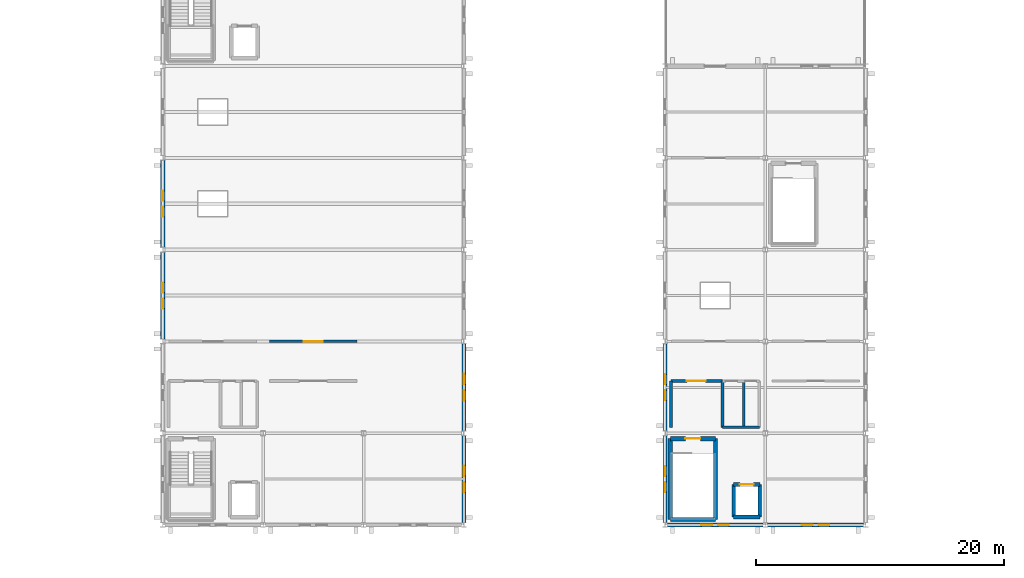
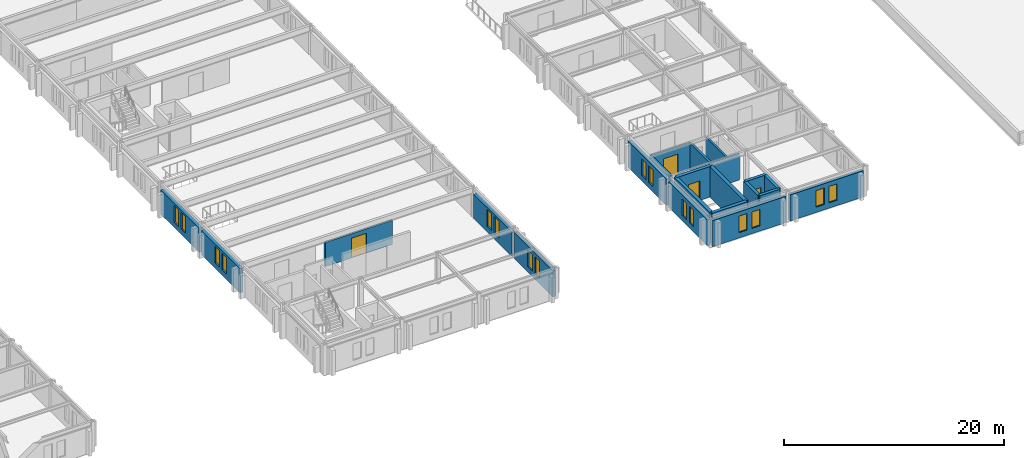
# One storey, part 11 of 19: 22 walls, 16 windows, 4 doors, 20 openings.
"""IFC4 building model written with IfcOpenShell, lengths in metres."""

from ifc_helpers import new_model, si_unit, direction, frame, frame_2d, origin, place, context, subcontext, project, spatial, rectangle, extrude, material, layer, layer_set, type_object, element, fill, save


model = new_model("IFC4")

# Units and contexts
model_context = context("Model", 3, precision=1e-05, world=origin(), true_north=direction((0.0, 1.0)))
body_context = subcontext(model_context, "Body", "Model", "MODEL_VIEW")
ifc_project = project(units=[si_unit("LENGTHUNIT", "METRE"), si_unit("AREAUNIT", "SQUARE_METRE"), si_unit("VOLUMEUNIT", "CUBIC_METRE"), si_unit("PLANEANGLEUNIT", "RADIAN"), si_unit("MASSUNIT", "GRAM", prefix="KILO")], contexts=[model_context])

# Site, building, storey
site_placement = place(None, origin())
site = spatial("IfcSite", under=ifc_project, at=site_placement, CompositionType="ELEMENT")
building_placement = place(site_placement, origin())
building = spatial("IfcBuilding", under=site, at=building_placement, Name="Cimatlan Art Gallery", CompositionType="ELEMENT")
storey_placement = place(building_placement, frame((0.0, 0.0, 17.39990234375)))
storey = spatial("IfcBuildingStorey", under=building, at=storey_placement, Name="L04", CompositionType="ELEMENT", Elevation=17.39990234375)

# Walls
ifc_material_1 = material(Name="Concrete C40/50", Category="concrete")
ifc_layer_1 = layer(ifc_material_1, 0.31005859375)
ifc_layer_set_1 = layer_set([ifc_layer_1], Name="Concrete C40/50")
wall_type_1 = type_object("IfcWallType", Name="W-CORE-310", PredefinedType="SHEAR", material=ifc_layer_set_1)
wall_1_placement = place(storey_placement, frame((120.949951171875, 24.550048828125, 0.0), z_axis=(0.0, 0.0, 1.0), x_axis=(0.0, 1.0, 0.0)))
element("IfcWall", 1, at=wall_1_placement, inside=storey, type_object=wall_type_1, Name="WL-SHFT-C4-L04-LW", PredefinedType="SHEAR", context=body_context, shape_type="SweptSolid", body=[
    extrude(rectangle(XDim=2.599853515625, YDim=0.31005859375, at=frame_2d((1.2998046875, 0.0))), origin(), (0.0, 0.0, 1.0), 3.375),
])
wall_2_placement = place(storey_placement, frame((120.949951171875, 24.550048828125, 0.0), z_axis=(0.0, 0.0, 1.0), x_axis=(1.0, 0.0, 0.0)))
element("IfcWall", 2, at=wall_2_placement, inside=storey, type_object=wall_type_1, Name="WL-SHFT-C4-L04-LS", PredefinedType="SHEAR", context=body_context, shape_type="SweptSolid", body=[
    extrude(rectangle(XDim=2.10009765625, YDim=0.31005859375, at=frame_2d((1.050048828125, 0.0))), origin(), (0.0, 0.0, 1.0), 3.375),
])
wall_3_placement = place(storey_placement, frame((123.050048828125, 24.550048828125, 0.0), z_axis=(0.0, 0.0, 1.0), x_axis=(0.0, 1.0, 0.0)))
element("IfcWall", 3, at=wall_3_placement, inside=storey, type_object=wall_type_1, Name="WL-SHFT-C4-L04-LE", PredefinedType="SHEAR", context=body_context, shape_type="SweptSolid", body=[
    extrude(rectangle(XDim=2.599853515625, YDim=0.31005859375, at=frame_2d((1.2998046875, 0.0))), origin(), (0.0, 0.0, 1.0), 3.375),
])

# Wall, opening, door
wall_4_placement = place(storey_placement, frame((120.949951171875, 27.14990234375, 0.0), z_axis=(0.0, 0.0, 1.0), x_axis=(1.0, 0.0, 0.0)))
wall_4 = element("IfcWall", 4, at=wall_4_placement, inside=storey, type_object=wall_type_1, Name="WL-SHFT-C4-L04-LN", PredefinedType="SHEAR", context=body_context, shape_type="SweptSolid", body=[
    extrude(rectangle(XDim=2.10009765625, YDim=0.31005859375, at=frame_2d((1.050048828125, 0.0))), origin(), (0.0, 0.0, 1.0), 3.375),
])
opening_1_placement = place(wall_4_placement, frame((0.5, 0.0, 0.0)))
opening_1 = element("IfcOpeningElement", 5, at=opening_1_placement, cuts=wall_4, Name="Opening LD-C4-L04", PredefinedType="OPENING", context=body_context, shape_type="SweptSolid", body=[
    extrude(rectangle(XDim=1.10009765625, YDim=2.14990234375, at=frame_2d((0.550048828125, 1.074951171875))), frame((0.0, 0.1650390625, 0.0), z_axis=(0.0, -1.0, 0.0), x_axis=(1.0, 0.0, 0.0)), (0.0, 0.0, 1.0), 0.330078125),
])
ifc_material_2 = material(Name="Brushed bronze sliding lift landing door")
door_type_1 = type_object("IfcDoorType", Name="LD-PS-1100", OperationType="NOTDEFINED", PredefinedType="DOOR", material=ifc_material_2)
door_1_placement = place(opening_1_placement, origin())
door_1 = element("IfcDoor", 6, at=door_1_placement, inside=storey, type_object=door_type_1, Name="LD-PL-01-L04", OperationType="SLIDING_TO_RIGHT", OverallHeight=2.14990234375, OverallWidth=1.10009765625, PredefinedType="DOOR", context=body_context, shape_type="SweptSolid", body=[
    extrude(rectangle(XDim=1.10009765625, YDim=2.14990234375, at=frame_2d((0.550048828125, 1.074951171875))), frame((0.0, 0.02490234375, 0.0), z_axis=(0.0, -1.0, 0.0), x_axis=(1.0, 0.0, 0.0)), (0.0, 0.0, 1.0), 0.050048828125),
])
fill(opening_1, door_1)

# Walls
ifc_layer_2 = layer(ifc_material_1, 0.35009765625)
ifc_layer_set_2 = layer_set([ifc_layer_2], Name="Concrete C40/50")
wall_type_2 = type_object("IfcWallType", Name="W-CORE-350", PredefinedType="SHEAR", material=ifc_layer_set_2)
wall_5_placement = place(storey_placement, frame((115.840087890625, 24.340087890625, 0.0), z_axis=(0.0, 0.0, 1.0), x_axis=(0.0, 1.0, 0.0)))
element("IfcWall", 7, at=wall_5_placement, inside=storey, type_object=wall_type_2, Name="WL-CORE-C4-L04-SW", PredefinedType="SHEAR", context=body_context, shape_type="SweptSolid", body=[
    extrude(rectangle(XDim=6.52001953125, YDim=0.35009765625, at=frame_2d((3.260009765625, 0.0))), origin(), (0.0, 0.0, 1.0), 3.375),
])
wall_6_placement = place(storey_placement, frame((115.840087890625, 24.340087890625, 0.0), z_axis=(0.0, 0.0, 1.0), x_axis=(1.0, 0.0, 0.0)))
element("IfcWall", 8, at=wall_6_placement, inside=storey, type_object=wall_type_2, Name="WL-CORE-C4-L04-SS", PredefinedType="SHEAR", context=body_context, shape_type="SweptSolid", body=[
    extrude(rectangle(XDim=3.639892578125, YDim=0.35009765625, at=frame_2d((1.81982421875, 0.0))), origin(), (0.0, 0.0, 1.0), 3.375),
])
wall_7_placement = place(storey_placement, frame((119.47998046875, 24.340087890625, 0.0), z_axis=(0.0, 0.0, 1.0), x_axis=(0.0, 1.0, 0.0)))
element("IfcWall", 9, at=wall_7_placement, inside=storey, type_object=wall_type_2, Name="WL-CORE-C4-L04-SE", PredefinedType="SHEAR", context=body_context, shape_type="SweptSolid", body=[
    extrude(rectangle(XDim=6.52001953125, YDim=0.35009765625, at=frame_2d((3.260009765625, 0.0))), origin(), (0.0, 0.0, 1.0), 3.375),
])

# Wall, opening, door
wall_8_placement = place(storey_placement, frame((115.840087890625, 30.860107421875, 0.0), z_axis=(0.0, 0.0, 1.0), x_axis=(1.0, 0.0, 0.0)))
wall_8 = element("IfcWall", 10, at=wall_8_placement, inside=storey, type_object=wall_type_2, Name="WL-CORE-C4-L04-SN", PredefinedType="SHEAR", context=body_context, shape_type="SweptSolid", body=[
    extrude(rectangle(XDim=3.639892578125, YDim=0.35009765625, at=frame_2d((1.81982421875, 0.0))), origin(), (0.0, 0.0, 1.0), 3.375),
])
opening_2_placement = place(wall_8_placement, frame((1.219970703125, 0.0, 0.0)))
opening_2 = element("IfcOpeningElement", 11, at=opening_2_placement, cuts=wall_8, Name="Opening FD-C4-L04", PredefinedType="OPENING", context=body_context, shape_type="SweptSolid", body=[
    extrude(rectangle(XDim=1.199951171875, YDim=2.14990234375, at=frame_2d((0.60009765625, 1.074951171875))), frame((0.0, 0.18505859375, 0.0), z_axis=(0.0, -1.0, 0.0), x_axis=(1.0, 0.0, 0.0)), (0.0, 0.0, 1.0), 0.3701171875),
])
ifc_material_3 = material(Name="Fire-resisting steel acoustic stair door", Category="steel")
door_type_2 = type_object("IfcDoorType", Name="FD-ST-1200", OperationType="NOTDEFINED", PredefinedType="DOOR", material=ifc_material_3)
door_2_placement = place(opening_2_placement, origin())
door_2 = element("IfcDoor", 12, at=door_2_placement, inside=storey, type_object=door_type_2, Name="DR-C4-L04-ST", OperationType="SINGLE_SWING_LEFT", OverallHeight=2.14990234375, OverallWidth=1.199951171875, PredefinedType="DOOR", context=body_context, shape_type="SweptSolid", body=[
    extrude(rectangle(XDim=1.199951171875, YDim=2.14990234375, at=frame_2d((0.60009765625, 1.074951171875))), frame((0.0, 0.02490234375, 0.0), z_axis=(0.0, -1.0, 0.0), x_axis=(1.0, 0.0, 0.0)), (0.0, 0.0, 1.0), 0.050048828125),
])
fill(opening_2, door_2)

ifc_material_4 = material(Name="Precast concrete C40/50", Category="concrete")
ifc_layer_3 = layer(ifc_material_4, 0.2451171875)
ifc_layer_set_3 = layer_set([ifc_layer_3], Name="Precast concrete C40/50")
wall_type_3 = type_object("IfcWallType", Name="W-FFL-245", PredefinedType="PARTITIONING", material=ifc_layer_set_3)
wall_9_placement = place(storey_placement, frame((115.8798828125, 35.5, 0.0), z_axis=(0.0, 0.0, 1.0), x_axis=(1.0, 0.0, 0.0)))
wall_9 = element("IfcWall", 13, at=wall_9_placement, inside=storey, type_object=wall_type_3, Name="WL-LOB-C4-L04-N", PredefinedType="PARTITIONING", context=body_context, shape_type="SweptSolid", body=[
    extrude(rectangle(XDim=4.170166015625, YDim=0.2451171875, at=frame_2d((2.0849609375, 0.0))), origin(), (0.0, 0.0, 1.0), 2.9130859375),
])
opening_3_placement = place(wall_9_placement, frame((1.300048828125, 0.0, 0.0)))
opening_3 = element("IfcOpeningElement", 14, at=opening_3_placement, cuts=wall_9, Name="Opening FDL-C4-L04", PredefinedType="OPENING", context=body_context, shape_type="SweptSolid", body=[
    extrude(rectangle(XDim=1.5, YDim=2.14990234375, at=frame_2d((0.75, 1.074951171875))), frame((0.0, 0.132568359375, 0.0), z_axis=(0.0, -1.0, 0.0), x_axis=(1.0, 0.0, 0.0)), (0.0, 0.0, 1.0), 0.26513671875),
])
ifc_material_5 = material(Name="Fire-resisting double-seal lobby door")
door_type_3 = type_object("IfcDoorType", Name="FD-LB-1500", OperationType="NOTDEFINED", PredefinedType="DOOR", material=ifc_material_5)
door_3_placement = place(opening_3_placement, origin())
door_3 = element("IfcDoor", 15, at=door_3_placement, inside=storey, type_object=door_type_3, Name="DR-LOB-C4-L04", OperationType="SINGLE_SWING_RIGHT", OverallHeight=2.14990234375, OverallWidth=1.5, PredefinedType="DOOR", context=body_context, shape_type="SweptSolid", body=[
    extrude(rectangle(XDim=1.5, YDim=2.14990234375, at=frame_2d((0.75, 1.074951171875))), frame((0.0, 0.02490234375, 0.0), z_axis=(0.0, -1.0, 0.0), x_axis=(1.0, 0.0, 0.0)), (0.0, 0.0, 1.0), 0.050048828125),
])
fill(opening_3, door_3)

# Walls
for number, where, z_axis, x_axis, name in (
    (16, (115.8798828125, 31.780029296875, 0.0), (0.0, 0.0, 1.0), (0.0, 1.0, 0.0), "WL-LOB-C4-L04-W"),
    (17, (120.050048828125, 31.780029296875, 0.0), (0.0, 0.0, 1.0), (0.0, 1.0, 0.0), "WL-LOB-C4-L04-M"),
):
    element("IfcWall", number, at=place(storey_placement, frame(where, z_axis=z_axis, x_axis=x_axis)), inside=storey, type_object=wall_type_3, Name=name, PredefinedType="PARTITIONING", context=body_context, shape_type="SweptSolid", body=[
        extrude(rectangle(XDim=3.719970703125, YDim=0.2451171875, at=frame_2d((1.85986328125, 0.0))), origin(), (0.0, 0.0, 1.0), 2.9130859375),
    ])

# Wall, opening, door
ifc_material_6 = material(Name="Acoustic gypsum and steel stud partition", Category="steel")
ifc_layer_4 = layer(ifc_material_6, 0.205078125)
ifc_layer_set_4 = layer_set([ifc_layer_4], Name="Acoustic gypsum and steel stud partition")
wall_type_4 = type_object("IfcWallType", Name="W-GAL-205", PredefinedType="PARTITIONING", material=ifc_layer_set_4)
wall_10_placement = place(storey_placement, frame((83.52001953125, 38.699951171875, 0.0), z_axis=(0.0, 0.0, 1.0), x_axis=(1.0, 0.0, 0.0)))
wall_10 = element("IfcWall", 18, at=wall_10_placement, inside=storey, type_object=wall_type_4, Name="WL-RM-L04-GAL-C1", PredefinedType="PARTITIONING", context=body_context, shape_type="SweptSolid", body=[
    extrude(rectangle(XDim=7.06005859375, YDim=0.205078125, at=frame_2d((3.530029296875, 0.0))), origin(), (0.0, 0.0, 1.0), 2.68603515625),
])
opening_4_placement = place(wall_10_placement, frame((2.7548828125, 0.0, 0.0)))
opening_4 = element("IfcOpeningElement", 19, at=opening_4_placement, cuts=wall_10, Name="Opening DI-0266", PredefinedType="OPENING", context=body_context, shape_type="SweptSolid", body=[
    extrude(rectangle(XDim=1.550048828125, YDim=2.199951171875, at=frame_2d((0.77490234375, 1.10009765625))), frame((0.0, 0.112548828125, 0.0), z_axis=(0.0, -1.0, 0.0), x_axis=(1.0, 0.0, 0.0)), (0.0, 0.0, 1.0), 0.22509765625),
])
ifc_material_7 = material(Name="European oak upper gallery door")
door_type_4 = type_object("IfcDoorType", Name="DI-GL-1550", OperationType="NOTDEFINED", PredefinedType="DOOR", material=ifc_material_7)
door_4_placement = place(opening_4_placement, origin())
door_4 = element("IfcDoor", 20, at=door_4_placement, inside=storey, type_object=door_type_4, Name="DR-RM-L04-GAL-C1", OperationType="SINGLE_SWING_RIGHT", OverallHeight=2.199951171875, OverallWidth=1.550048828125, PredefinedType="DOOR", context=body_context, shape_type="SweptSolid", body=[
    extrude(rectangle(XDim=1.550048828125, YDim=2.199951171875, at=frame_2d((0.77490234375, 1.10009765625))), frame((0.0, 0.02490234375, 0.0), z_axis=(0.0, -1.0, 0.0), x_axis=(1.0, 0.0, 0.0)), (0.0, 0.0, 1.0), 0.050048828125),
])
fill(opening_4, door_4)

# Walls
ifc_material_8 = material(Name="Moisture-resistant fire-rated plumbing wall")
ifc_layer_5 = layer(ifc_material_8, 0.195068359375)
ifc_layer_set_5 = layer_set([ifc_layer_5], Name="Moisture-resistant fire-rated plumbing wall")
wall_type_5 = type_object("IfcWallType", Name="W-PLM-195", PredefinedType="PARTITIONING", material=ifc_layer_set_5)
wall_11_placement = place(storey_placement, frame((121.75, 31.780029296875, 0.0), z_axis=(0.0, 0.0, 1.0), x_axis=(0.0, 1.0, 0.0)))
element("IfcWall", 21, at=wall_11_placement, inside=storey, type_object=wall_type_5, Name="WL-LOB-C4-L04-D", PredefinedType="PARTITIONING", context=body_context, shape_type="SweptSolid", body=[
    extrude(rectangle(XDim=3.719970703125, YDim=0.195068359375, at=frame_2d((1.85986328125, 0.0))), origin(), (0.0, 0.0, 1.0), 2.9130859375),
])
wall_12_placement = place(storey_placement, frame((120.050048828125, 31.780029296875, 0.0), z_axis=(0.0, 0.0, 1.0), x_axis=(1.0, 0.0, 0.0)))
element("IfcWall", 22, at=wall_12_placement, inside=storey, type_object=wall_type_5, Name="WL-LOB-C4-L04-S", PredefinedType="PARTITIONING", context=body_context, shape_type="SweptSolid", body=[
    extrude(rectangle(XDim=2.969970703125, YDim=0.195068359375, at=frame_2d((1.48486328125, 0.0))), origin(), (0.0, 0.0, 1.0), 2.9130859375),
])

# Wall, openings, windows
ifc_layer_6 = layer(ifc_material_4, 0.340087890625)
ifc_layer_set_6 = layer_set([ifc_layer_6], Name="Precast concrete C40/50")
wall_type_6 = type_object("IfcWallType", Name="WL-EXT-STD-340", PredefinedType="SOLIDWALL", material=ifc_layer_set_6)
wall_13_placement = place(storey_placement, frame((74.89990234375, 38.89208984375, 0.0), z_axis=(0.0, 0.0, 1.0), x_axis=(0.0, 1.0, 0.0)))
wall_13 = element("IfcWall", 23, at=wall_13_placement, inside=storey, type_object=wall_type_6, Name="WL-EXT-L04-09-05-W", PredefinedType="SOLIDWALL", context=body_context, shape_type="SweptSolid", body=[
    extrude(rectangle(XDim=7.015869140625, YDim=0.340087890625, at=frame_2d((3.5078125, 0.0))), origin(), (0.0, 0.0, 1.0), 2.68115234375),
])
opening_5_placement = place(wall_13_placement, frame((2.4580078125, 0.0, 0.60009765625)))
opening_5 = element("IfcOpeningElement", 24, at=opening_5_placement, cuts=wall_13, Name="Opening WN-0337", PredefinedType="OPENING", context=body_context, shape_type="SweptSolid", body=[
    extrude(rectangle(XDim=0.81005859375, YDim=1.840087890625, at=frame_2d((0.405029296875, 0.919921875))), frame((0.0, 0.18017578125, 0.0), z_axis=(0.0, -1.0, 0.0), x_axis=(1.0, 0.0, 0.0)), (0.0, 0.0, 1.0), 0.360107421875),
])
opening_6_placement = place(wall_13_placement, frame((3.748046875, 0.0, 0.60009765625)))
opening_6 = element("IfcOpeningElement", 25, at=opening_6_placement, cuts=wall_13, Name="Opening WN-0338", PredefinedType="OPENING", context=body_context, shape_type="SweptSolid", body=[
    extrude(rectangle(XDim=0.81005859375, YDim=1.840087890625, at=frame_2d((0.405029296875, 0.919921875))), frame((0.0, 0.18017578125, 0.0), z_axis=(0.0, -1.0, 0.0), x_axis=(1.0, 0.0, 0.0)), (0.0, 0.0, 1.0), 0.360107421875),
])
ifc_material_9 = material(Name="Low-E laminated double glazing in bronze lancet frame", Category="glass")
window_type_1 = type_object("IfcWindowType", Name="WIN-W-L04-0810X1840", PartitioningType="SINGLE_PANEL", PredefinedType="WINDOW", material=ifc_material_9)
window_1_placement = place(opening_5_placement, origin())
window_1 = element("IfcWindow", 26, at=window_1_placement, inside=storey, type_object=window_type_1, Name="WIN-0337", OverallHeight=1.840087890625, OverallWidth=0.81005859375, PartitioningType="SINGLE_PANEL", PredefinedType="WINDOW", context=body_context, shape_type="SweptSolid", body=[
    extrude(rectangle(XDim=0.81005859375, YDim=1.840087890625, at=frame_2d((0.405029296875, 0.919921875))), frame((0.0, 0.030029296875, 0.0), z_axis=(0.0, -1.0, 0.0), x_axis=(1.0, 0.0, 0.0)), (0.0, 0.0, 1.0), 0.06005859375),
])
fill(opening_5, window_1)
window_2_placement = place(opening_6_placement, origin())
window_2 = element("IfcWindow", 27, at=window_2_placement, inside=storey, type_object=window_type_1, Name="WIN-0338", OverallHeight=1.840087890625, OverallWidth=0.81005859375, PartitioningType="SINGLE_PANEL", PredefinedType="WINDOW", context=body_context, shape_type="SweptSolid", body=[
    extrude(rectangle(XDim=0.81005859375, YDim=1.840087890625, at=frame_2d((0.405029296875, 0.919921875))), frame((0.0, 0.030029296875, 0.0), z_axis=(0.0, -1.0, 0.0), x_axis=(1.0, 0.0, 0.0)), (0.0, 0.0, 1.0), 0.06005859375),
])
fill(opening_6, window_2)

wall_14_placement = place(storey_placement, frame((74.89990234375, 46.2919921875, 0.0), z_axis=(0.0, 0.0, 1.0), x_axis=(0.0, 1.0, 0.0)))
wall_14 = element("IfcWall", 28, at=wall_14_placement, inside=storey, type_object=wall_type_6, Name="WL-EXT-L04-09-06-W", PredefinedType="SOLIDWALL", context=body_context, shape_type="SweptSolid", body=[
    extrude(rectangle(XDim=7.01611328125, YDim=0.340087890625, at=frame_2d((3.508056640625, 0.0))), origin(), (0.0, 0.0, 1.0), 2.68115234375),
])
opening_7_placement = place(wall_14_placement, frame((2.4580078125, 0.0, 0.60009765625)))
opening_7 = element("IfcOpeningElement", 29, at=opening_7_placement, cuts=wall_14, Name="Opening WN-0339", PredefinedType="OPENING", context=body_context, shape_type="SweptSolid", body=[
    extrude(rectangle(XDim=0.81005859375, YDim=1.840087890625, at=frame_2d((0.405029296875, 0.919921875))), frame((0.0, 0.18017578125, 0.0), z_axis=(0.0, -1.0, 0.0), x_axis=(1.0, 0.0, 0.0)), (0.0, 0.0, 1.0), 0.360107421875),
])
opening_8_placement = place(wall_14_placement, frame((3.748046875, 0.0, 0.60009765625)))
opening_8 = element("IfcOpeningElement", 30, at=opening_8_placement, cuts=wall_14, Name="Opening WN-0340", PredefinedType="OPENING", context=body_context, shape_type="SweptSolid", body=[
    extrude(rectangle(XDim=0.81005859375, YDim=1.840087890625, at=frame_2d((0.405029296875, 0.919921875))), frame((0.0, 0.18017578125, 0.0), z_axis=(0.0, -1.0, 0.0), x_axis=(1.0, 0.0, 0.0)), (0.0, 0.0, 1.0), 0.360107421875),
])
window_3_placement = place(opening_7_placement, origin())
window_3 = element("IfcWindow", 31, at=window_3_placement, inside=storey, type_object=window_type_1, Name="WIN-0339", OverallHeight=1.840087890625, OverallWidth=0.81005859375, PartitioningType="SINGLE_PANEL", PredefinedType="WINDOW", context=body_context, shape_type="SweptSolid", body=[
    extrude(rectangle(XDim=0.81005859375, YDim=1.840087890625, at=frame_2d((0.405029296875, 0.919921875))), frame((0.0, 0.030029296875, 0.0), z_axis=(0.0, -1.0, 0.0), x_axis=(1.0, 0.0, 0.0)), (0.0, 0.0, 1.0), 0.06005859375),
])
fill(opening_7, window_3)
window_4_placement = place(opening_8_placement, origin())
window_4 = element("IfcWindow", 32, at=window_4_placement, inside=storey, type_object=window_type_1, Name="WIN-0340", OverallHeight=1.840087890625, OverallWidth=0.81005859375, PartitioningType="SINGLE_PANEL", PredefinedType="WINDOW", context=body_context, shape_type="SweptSolid", body=[
    extrude(rectangle(XDim=0.81005859375, YDim=1.840087890625, at=frame_2d((0.405029296875, 0.919921875))), frame((0.0, 0.030029296875, 0.0), z_axis=(0.0, -1.0, 0.0), x_axis=(1.0, 0.0, 0.0)), (0.0, 0.0, 1.0), 0.06005859375),
])
fill(opening_8, window_4)

wall_15_placement = place(storey_placement, frame((99.199951171875, 31.10791015625, 0.0), z_axis=(0.0, 0.0, 1.0), x_axis=(0.0, -1.0, 0.0)))
wall_15 = element("IfcWall", 33, at=wall_15_placement, inside=storey, type_object=wall_type_6, Name="WL-EXT-L04-11-03-E", PredefinedType="SOLIDWALL", context=body_context, shape_type="SweptSolid", body=[
    extrude(rectangle(XDim=7.015869140625, YDim=0.340087890625, at=frame_2d((3.5078125, 0.0))), origin(), (0.0, 0.0, 1.0), 2.908203125),
])
opening_9_placement = place(wall_15_placement, frame((2.41796875, 0.0, 0.60009765625)))
opening_9 = element("IfcOpeningElement", 34, at=opening_9_placement, cuts=wall_15, Name="Opening WN-0353", PredefinedType="OPENING", context=body_context, shape_type="SweptSolid", body=[
    extrude(rectangle(XDim=0.85009765625, YDim=1.8798828125, at=frame_2d((0.425048828125, 0.93994140625))), frame((0.0, 0.18017578125, 0.0), z_axis=(0.0, -1.0, 0.0), x_axis=(1.0, 0.0, 0.0)), (0.0, 0.0, 1.0), 0.360107421875),
])
opening_10_placement = place(wall_15_placement, frame((3.748046875, 0.0, 0.60009765625)))
opening_10 = element("IfcOpeningElement", 35, at=opening_10_placement, cuts=wall_15, Name="Opening WN-0354", PredefinedType="OPENING", context=body_context, shape_type="SweptSolid", body=[
    extrude(rectangle(XDim=0.85009765625, YDim=1.8798828125, at=frame_2d((0.425048828125, 0.93994140625))), frame((0.0, 0.18017578125, 0.0), z_axis=(0.0, -1.0, 0.0), x_axis=(1.0, 0.0, 0.0)), (0.0, 0.0, 1.0), 0.360107421875),
])
window_type_2 = type_object("IfcWindowType", Name="WIN-E-L04-0850X1880", PartitioningType="SINGLE_PANEL", PredefinedType="WINDOW", material=ifc_material_9)
window_5_placement = place(opening_9_placement, origin())
window_5 = element("IfcWindow", 36, at=window_5_placement, inside=storey, type_object=window_type_2, Name="WIN-0353", OverallHeight=1.8798828125, OverallWidth=0.85009765625, PartitioningType="SINGLE_PANEL", PredefinedType="WINDOW", context=body_context, shape_type="SweptSolid", body=[
    extrude(rectangle(XDim=0.85009765625, YDim=1.8798828125, at=frame_2d((0.425048828125, 0.93994140625))), frame((0.0, 0.030029296875, 0.0), z_axis=(0.0, -1.0, 0.0), x_axis=(1.0, 0.0, 0.0)), (0.0, 0.0, 1.0), 0.06005859375),
])
fill(opening_9, window_5)
window_6_placement = place(opening_10_placement, origin())
window_6 = element("IfcWindow", 37, at=window_6_placement, inside=storey, type_object=window_type_2, Name="WIN-0354", OverallHeight=1.8798828125, OverallWidth=0.85009765625, PartitioningType="SINGLE_PANEL", PredefinedType="WINDOW", context=body_context, shape_type="SweptSolid", body=[
    extrude(rectangle(XDim=0.85009765625, YDim=1.8798828125, at=frame_2d((0.425048828125, 0.93994140625))), frame((0.0, 0.030029296875, 0.0), z_axis=(0.0, -1.0, 0.0), x_axis=(1.0, 0.0, 0.0)), (0.0, 0.0, 1.0), 0.06005859375),
])
fill(opening_10, window_6)

wall_16_placement = place(storey_placement, frame((99.199951171875, 38.508056640625, 0.0), z_axis=(0.0, 0.0, 1.0), x_axis=(0.0, -1.0, 0.0)))
wall_16 = element("IfcWall", 38, at=wall_16_placement, inside=storey, type_object=wall_type_6, Name="WL-EXT-L04-11-04-E", PredefinedType="SOLIDWALL", context=body_context, shape_type="SweptSolid", body=[
    extrude(rectangle(XDim=7.01611328125, YDim=0.340087890625, at=frame_2d((3.508056640625, 0.0))), origin(), (0.0, 0.0, 1.0), 2.68115234375),
])
opening_11_placement = place(wall_16_placement, frame((2.41796875, 0.0, 0.60009765625)))
opening_11 = element("IfcOpeningElement", 39, at=opening_11_placement, cuts=wall_16, Name="Opening WN-0355", PredefinedType="OPENING", context=body_context, shape_type="SweptSolid", body=[
    extrude(rectangle(XDim=0.85009765625, YDim=1.8798828125, at=frame_2d((0.425048828125, 0.93994140625))), frame((0.0, 0.18017578125, 0.0), z_axis=(0.0, -1.0, 0.0), x_axis=(1.0, 0.0, 0.0)), (0.0, 0.0, 1.0), 0.360107421875),
])
opening_12_placement = place(wall_16_placement, frame((3.748046875, 0.0, 0.60009765625)))
opening_12 = element("IfcOpeningElement", 40, at=opening_12_placement, cuts=wall_16, Name="Opening WN-0356", PredefinedType="OPENING", context=body_context, shape_type="SweptSolid", body=[
    extrude(rectangle(XDim=0.85009765625, YDim=1.8798828125, at=frame_2d((0.425048828125, 0.93994140625))), frame((0.0, 0.18017578125, 0.0), z_axis=(0.0, -1.0, 0.0), x_axis=(1.0, 0.0, 0.0)), (0.0, 0.0, 1.0), 0.360107421875),
])
window_7_placement = place(opening_11_placement, origin())
window_7 = element("IfcWindow", 41, at=window_7_placement, inside=storey, type_object=window_type_2, Name="WIN-0355", OverallHeight=1.8798828125, OverallWidth=0.85009765625, PartitioningType="SINGLE_PANEL", PredefinedType="WINDOW", context=body_context, shape_type="SweptSolid", body=[
    extrude(rectangle(XDim=0.85009765625, YDim=1.8798828125, at=frame_2d((0.425048828125, 0.93994140625))), frame((0.0, 0.030029296875, 0.0), z_axis=(0.0, -1.0, 0.0), x_axis=(1.0, 0.0, 0.0)), (0.0, 0.0, 1.0), 0.06005859375),
])
fill(opening_11, window_7)
window_8_placement = place(opening_12_placement, origin())
window_8 = element("IfcWindow", 42, at=window_8_placement, inside=storey, type_object=window_type_2, Name="WIN-0356", OverallHeight=1.8798828125, OverallWidth=0.85009765625, PartitioningType="SINGLE_PANEL", PredefinedType="WINDOW", context=body_context, shape_type="SweptSolid", body=[
    extrude(rectangle(XDim=0.85009765625, YDim=1.8798828125, at=frame_2d((0.425048828125, 0.93994140625))), frame((0.0, 0.030029296875, 0.0), z_axis=(0.0, -1.0, 0.0), x_axis=(1.0, 0.0, 0.0)), (0.0, 0.0, 1.0), 0.06005859375),
])
fill(opening_12, window_8)

wall_17_placement = place(storey_placement, frame((123.30908203125, 23.89990234375, 0.0), z_axis=(0.0, 0.0, 1.0), x_axis=(-1.0, 0.0, 0.0)))
wall_17 = element("IfcWall", 43, at=wall_17_placement, inside=storey, type_object=wall_type_6, Name="WL-EXT-L04-14-03-S", PredefinedType="SOLIDWALL", context=body_context, shape_type="SweptSolid", body=[
    extrude(rectangle(XDim=7.718017578125, YDim=0.340087890625, at=frame_2d((3.85888671875, 0.0))), origin(), (0.0, 0.0, 1.0), 2.908203125),
])
opening_13_placement = place(wall_17_placement, frame((2.7490234375, 0.0, 0.60009765625)))
opening_13 = element("IfcOpeningElement", 44, at=opening_13_placement, cuts=wall_17, Name="Opening WN-0369", PredefinedType="OPENING", context=body_context, shape_type="SweptSolid", body=[
    extrude(rectangle(XDim=0.8701171875, YDim=1.820068359375, at=frame_2d((0.43505859375, 0.91015625))), frame((0.0, 0.18017578125, 0.0), z_axis=(0.0, -1.0, 0.0), x_axis=(1.0, 0.0, 0.0)), (0.0, 0.0, 1.0), 0.360107421875),
])
opening_14_placement = place(wall_17_placement, frame((4.09912109375, 0.0, 0.60009765625)))
opening_14 = element("IfcOpeningElement", 45, at=opening_14_placement, cuts=wall_17, Name="Opening WN-0370", PredefinedType="OPENING", context=body_context, shape_type="SweptSolid", body=[
    extrude(rectangle(XDim=0.8701171875, YDim=1.820068359375, at=frame_2d((0.43505859375, 0.91015625))), frame((0.0, 0.18017578125, 0.0), z_axis=(0.0, -1.0, 0.0), x_axis=(1.0, 0.0, 0.0)), (0.0, 0.0, 1.0), 0.360107421875),
])
window_type_3 = type_object("IfcWindowType", Name="WIN-S-L04-0870X1820", PartitioningType="SINGLE_PANEL", PredefinedType="WINDOW", material=ifc_material_9)
window_9_placement = place(opening_13_placement, origin())
window_9 = element("IfcWindow", 46, at=window_9_placement, inside=storey, type_object=window_type_3, Name="WIN-0369", OverallHeight=1.820068359375, OverallWidth=0.8701171875, PartitioningType="SINGLE_PANEL", PredefinedType="WINDOW", context=body_context, shape_type="SweptSolid", body=[
    extrude(rectangle(XDim=0.8701171875, YDim=1.820068359375, at=frame_2d((0.43505859375, 0.91015625))), frame((0.0, 0.030029296875, 0.0), z_axis=(0.0, -1.0, 0.0), x_axis=(1.0, 0.0, 0.0)), (0.0, 0.0, 1.0), 0.06005859375),
])
fill(opening_13, window_9)
window_10_placement = place(opening_14_placement, origin())
window_10 = element("IfcWindow", 47, at=window_10_placement, inside=storey, type_object=window_type_3, Name="WIN-0370", OverallHeight=1.820068359375, OverallWidth=0.8701171875, PartitioningType="SINGLE_PANEL", PredefinedType="WINDOW", context=body_context, shape_type="SweptSolid", body=[
    extrude(rectangle(XDim=0.8701171875, YDim=1.820068359375, at=frame_2d((0.43505859375, 0.91015625))), frame((0.0, 0.030029296875, 0.0), z_axis=(0.0, -1.0, 0.0), x_axis=(1.0, 0.0, 0.0)), (0.0, 0.0, 1.0), 0.06005859375),
])
fill(opening_14, window_10)

wall_18_placement = place(storey_placement, frame((115.39990234375, 24.090087890625, 0.0), z_axis=(0.0, 0.0, 1.0), x_axis=(0.0, 1.0, 0.0)))
wall_18 = element("IfcWall", 48, at=wall_18_placement, inside=storey, type_object=wall_type_6, Name="WL-EXT-L04-14-03-W", PredefinedType="SOLIDWALL", context=body_context, shape_type="SweptSolid", body=[
    extrude(rectangle(XDim=7.02001953125, YDim=0.340087890625, at=frame_2d((3.510009765625, 0.0))), origin(), (0.0, 0.0, 1.0), 2.908203125),
])
opening_15_placement = place(wall_18_placement, frame((2.4599609375, 0.0, 0.60009765625)))
opening_15 = element("IfcOpeningElement", 49, at=opening_15_placement, cuts=wall_18, Name="Opening WN-0371", PredefinedType="OPENING", context=body_context, shape_type="SweptSolid", body=[
    extrude(rectangle(XDim=0.81005859375, YDim=1.840087890625, at=frame_2d((0.405029296875, 0.919921875))), frame((0.0, 0.18017578125, 0.0), z_axis=(0.0, -1.0, 0.0), x_axis=(1.0, 0.0, 0.0)), (0.0, 0.0, 1.0), 0.360107421875),
])
opening_16_placement = place(wall_18_placement, frame((3.75, 0.0, 0.60009765625)))
opening_16 = element("IfcOpeningElement", 50, at=opening_16_placement, cuts=wall_18, Name="Opening WN-0372", PredefinedType="OPENING", context=body_context, shape_type="SweptSolid", body=[
    extrude(rectangle(XDim=0.81005859375, YDim=1.840087890625, at=frame_2d((0.405029296875, 0.919921875))), frame((0.0, 0.18017578125, 0.0), z_axis=(0.0, -1.0, 0.0), x_axis=(1.0, 0.0, 0.0)), (0.0, 0.0, 1.0), 0.360107421875),
])
window_11_placement = place(opening_15_placement, origin())
window_11 = element("IfcWindow", 51, at=window_11_placement, inside=storey, type_object=window_type_1, Name="WIN-0371", OverallHeight=1.840087890625, OverallWidth=0.81005859375, PartitioningType="SINGLE_PANEL", PredefinedType="WINDOW", context=body_context, shape_type="SweptSolid", body=[
    extrude(rectangle(XDim=0.81005859375, YDim=1.840087890625, at=frame_2d((0.405029296875, 0.919921875))), frame((0.0, 0.030029296875, 0.0), z_axis=(0.0, -1.0, 0.0), x_axis=(1.0, 0.0, 0.0)), (0.0, 0.0, 1.0), 0.06005859375),
])
fill(opening_15, window_11)
window_12_placement = place(opening_16_placement, origin())
window_12 = element("IfcWindow", 52, at=window_12_placement, inside=storey, type_object=window_type_1, Name="WIN-0372", OverallHeight=1.840087890625, OverallWidth=0.81005859375, PartitioningType="SINGLE_PANEL", PredefinedType="WINDOW", context=body_context, shape_type="SweptSolid", body=[
    extrude(rectangle(XDim=0.81005859375, YDim=1.840087890625, at=frame_2d((0.405029296875, 0.919921875))), frame((0.0, 0.030029296875, 0.0), z_axis=(0.0, -1.0, 0.0), x_axis=(1.0, 0.0, 0.0)), (0.0, 0.0, 1.0), 0.06005859375),
])
fill(opening_16, window_12)

wall_19_placement = place(storey_placement, frame((115.39990234375, 31.489990234375, 0.0), z_axis=(0.0, 0.0, 1.0), x_axis=(0.0, 1.0, 0.0)))
wall_19 = element("IfcWall", 53, at=wall_19_placement, inside=storey, type_object=wall_type_6, Name="WL-EXT-L04-14-04-W", PredefinedType="SOLIDWALL", context=body_context, shape_type="SweptSolid", body=[
    extrude(rectangle(XDim=7.02001953125, YDim=0.340087890625, at=frame_2d((3.510009765625, 0.0))), origin(), (0.0, 0.0, 1.0), 2.908203125),
])
opening_17_placement = place(wall_19_placement, frame((2.4599609375, 0.0, 0.60009765625)))
opening_17 = element("IfcOpeningElement", 54, at=opening_17_placement, cuts=wall_19, Name="Opening WN-0373", PredefinedType="OPENING", context=body_context, shape_type="SweptSolid", body=[
    extrude(rectangle(XDim=0.81005859375, YDim=1.840087890625, at=frame_2d((0.405029296875, 0.919921875))), frame((0.0, 0.18017578125, 0.0), z_axis=(0.0, -1.0, 0.0), x_axis=(1.0, 0.0, 0.0)), (0.0, 0.0, 1.0), 0.360107421875),
])
opening_18_placement = place(wall_19_placement, frame((3.75, 0.0, 0.60009765625)))
opening_18 = element("IfcOpeningElement", 55, at=opening_18_placement, cuts=wall_19, Name="Opening WN-0374", PredefinedType="OPENING", context=body_context, shape_type="SweptSolid", body=[
    extrude(rectangle(XDim=0.81005859375, YDim=1.840087890625, at=frame_2d((0.405029296875, 0.919921875))), frame((0.0, 0.18017578125, 0.0), z_axis=(0.0, -1.0, 0.0), x_axis=(1.0, 0.0, 0.0)), (0.0, 0.0, 1.0), 0.360107421875),
])
window_13_placement = place(opening_17_placement, origin())
window_13 = element("IfcWindow", 56, at=window_13_placement, inside=storey, type_object=window_type_1, Name="WIN-0373", OverallHeight=1.840087890625, OverallWidth=0.81005859375, PartitioningType="SINGLE_PANEL", PredefinedType="WINDOW", context=body_context, shape_type="SweptSolid", body=[
    extrude(rectangle(XDim=0.81005859375, YDim=1.840087890625, at=frame_2d((0.405029296875, 0.919921875))), frame((0.0, 0.030029296875, 0.0), z_axis=(0.0, -1.0, 0.0), x_axis=(1.0, 0.0, 0.0)), (0.0, 0.0, 1.0), 0.06005859375),
])
fill(opening_17, window_13)
window_14_placement = place(opening_18_placement, origin())
window_14 = element("IfcWindow", 57, at=window_14_placement, inside=storey, type_object=window_type_1, Name="WIN-0374", OverallHeight=1.840087890625, OverallWidth=0.81005859375, PartitioningType="SINGLE_PANEL", PredefinedType="WINDOW", context=body_context, shape_type="SweptSolid", body=[
    extrude(rectangle(XDim=0.81005859375, YDim=1.840087890625, at=frame_2d((0.405029296875, 0.919921875))), frame((0.0, 0.030029296875, 0.0), z_axis=(0.0, -1.0, 0.0), x_axis=(1.0, 0.0, 0.0)), (0.0, 0.0, 1.0), 0.06005859375),
])
fill(opening_18, window_14)

wall_20_placement = place(storey_placement, frame((131.408935546875, 23.89990234375, 0.0), z_axis=(0.0, 0.0, 1.0), x_axis=(-1.0, 0.0, 0.0)))
wall_20 = element("IfcWall", 58, at=wall_20_placement, inside=storey, type_object=wall_type_6, Name="WL-EXT-L04-15-03-S", PredefinedType="SOLIDWALL", context=body_context, shape_type="SweptSolid", body=[
    extrude(rectangle(XDim=7.718017578125, YDim=0.340087890625, at=frame_2d((3.85888671875, 0.0))), origin(), (0.0, 0.0, 1.0), 2.908203125),
])
opening_19_placement = place(wall_20_placement, frame((2.7490234375, 0.0, 0.60009765625)))
opening_19 = element("IfcOpeningElement", 59, at=opening_19_placement, cuts=wall_20, Name="Opening WN-0381", PredefinedType="OPENING", context=body_context, shape_type="SweptSolid", body=[
    extrude(rectangle(XDim=0.8701171875, YDim=1.820068359375, at=frame_2d((0.43505859375, 0.91015625))), frame((0.0, 0.18017578125, 0.0), z_axis=(0.0, -1.0, 0.0), x_axis=(1.0, 0.0, 0.0)), (0.0, 0.0, 1.0), 0.360107421875),
])
opening_20_placement = place(wall_20_placement, frame((4.09912109375, 0.0, 0.60009765625)))
opening_20 = element("IfcOpeningElement", 60, at=opening_20_placement, cuts=wall_20, Name="Opening WN-0382", PredefinedType="OPENING", context=body_context, shape_type="SweptSolid", body=[
    extrude(rectangle(XDim=0.8701171875, YDim=1.820068359375, at=frame_2d((0.43505859375, 0.91015625))), frame((0.0, 0.18017578125, 0.0), z_axis=(0.0, -1.0, 0.0), x_axis=(1.0, 0.0, 0.0)), (0.0, 0.0, 1.0), 0.360107421875),
])
window_15_placement = place(opening_19_placement, origin())
window_15 = element("IfcWindow", 61, at=window_15_placement, inside=storey, type_object=window_type_3, Name="WIN-0381", OverallHeight=1.820068359375, OverallWidth=0.8701171875, PartitioningType="SINGLE_PANEL", PredefinedType="WINDOW", context=body_context, shape_type="SweptSolid", body=[
    extrude(rectangle(XDim=0.8701171875, YDim=1.820068359375, at=frame_2d((0.43505859375, 0.91015625))), frame((0.0, 0.030029296875, 0.0), z_axis=(0.0, -1.0, 0.0), x_axis=(1.0, 0.0, 0.0)), (0.0, 0.0, 1.0), 0.06005859375),
])
fill(opening_19, window_15)
window_16_placement = place(opening_20_placement, origin())
window_16 = element("IfcWindow", 62, at=window_16_placement, inside=storey, type_object=window_type_3, Name="WIN-0382", OverallHeight=1.820068359375, OverallWidth=0.8701171875, PartitioningType="SINGLE_PANEL", PredefinedType="WINDOW", context=body_context, shape_type="SweptSolid", body=[
    extrude(rectangle(XDim=0.8701171875, YDim=1.820068359375, at=frame_2d((0.43505859375, 0.91015625))), frame((0.0, 0.030029296875, 0.0), z_axis=(0.0, -1.0, 0.0), x_axis=(1.0, 0.0, 0.0)), (0.0, 0.0, 1.0), 0.06005859375),
])
fill(opening_20, window_16)

save(model, "model.ifc")
